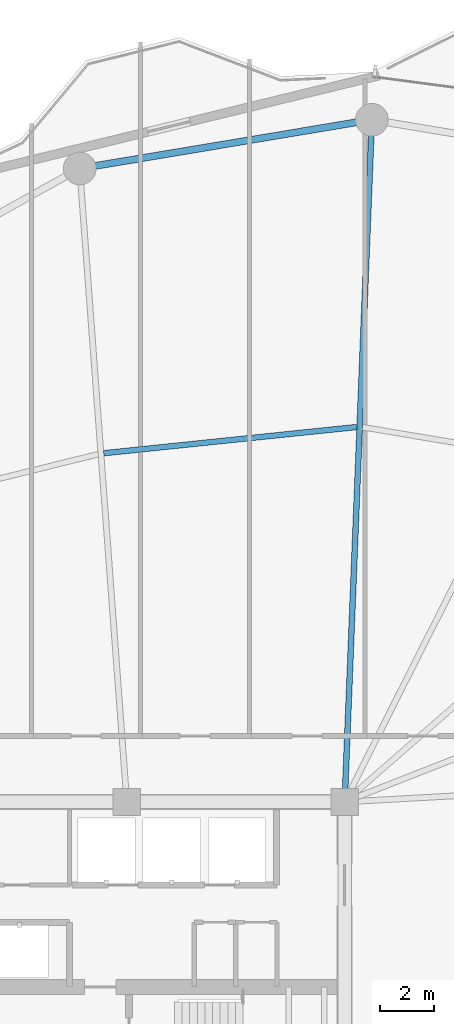
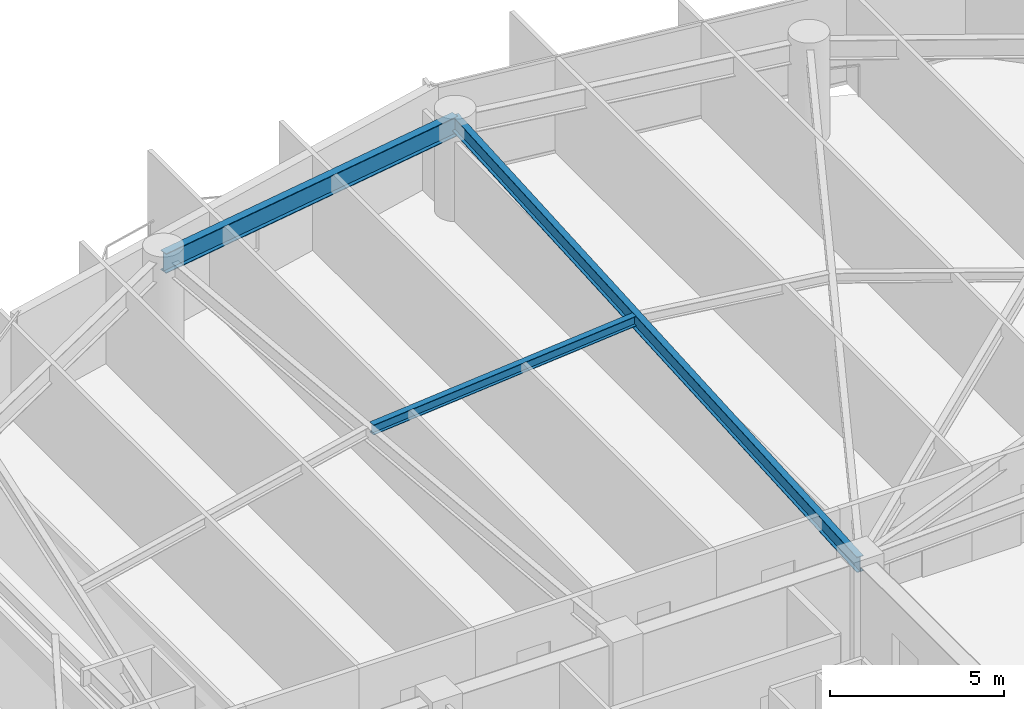
# One storey, part 19 of 31: 3 beams.
"""IFC4 building model written with IfcOpenShell, lengths in metres."""

from ifc_helpers import new_model, si_unit, direction, frame, origin, origin_2d, place, context, subcontext, project, spatial, i_section, extrude, material, material_profile, profile_set, type_object, element, save


model = new_model("IFC4")

# Units and contexts
model_context = context("Model", 3, precision=1e-05, world=origin(), true_north=direction((0.0, 1.0)))
body_context = subcontext(model_context, "Body", "Model", "MODEL_VIEW")
ifc_project = project(units=[si_unit("LENGTHUNIT", "METRE"), si_unit("AREAUNIT", "SQUARE_METRE"), si_unit("VOLUMEUNIT", "CUBIC_METRE"), si_unit("PLANEANGLEUNIT", "RADIAN"), si_unit("MASSUNIT", "GRAM", prefix="KILO")], contexts=[model_context])

# Site, building, storey
site_placement = place(None, origin())
site = spatial("IfcSite", under=ifc_project, at=site_placement, CompositionType="ELEMENT")
building_placement = place(site_placement, origin())
building = spatial("IfcBuilding", under=site, at=building_placement, Name="Kazevale Care Tower and Concert Hall", CompositionType="ELEMENT")
storey_placement = place(building_placement, frame((0.0, 0.0, 117.0)))
storey = spatial("IfcBuildingStorey", under=building, at=storey_placement, Name="L30", CompositionType="ELEMENT", Elevation=117.0)

# Beams
ifc_material = material(Name="Steel ASTM A572 Gr 50", Category="steel")
ifc_material_profile_1 = material_profile(ifc_material, i_section(OverallWidth=0.2119140625, OverallDepth=0.5439453125, WebThickness=0.01318359375, FlangeThickness=0.021240234375, at=origin_2d()), Name="W530x123")
ifc_profile_set_1 = profile_set([ifc_material_profile_1], Name="Steel ASTM A572 Gr 50")
beam_type_1 = type_object("IfcBeamType", Name="Radial Floor Girder W530x123", PredefinedType="BEAM", material=ifc_profile_set_1)
beam_1_placement = place(storey_placement, frame((44.0, 36.39990234375, 3.087890625), z_axis=(0.039888311255, 0.99920414462, 0.0), x_axis=(-0.99920414462, 0.039888311255, 0.0)))
element("IfcBeam", 1, at=beam_1_placement, inside=storey, type_object=beam_type_1, Name="beam:L30:rad:05", PredefinedType="BEAM", context=body_context, shape_type="SweptSolid", body=[
    extrude(i_section(OverallWidth=0.2119140625, OverallDepth=0.5439453125, WebThickness=0.01318359375, FlangeThickness=0.021240234375, at=origin_2d()), origin(), (0.0, 0.0, 1.0), 25.070068359375),
])
ifc_material_profile_2 = material_profile(ifc_material, i_section(OverallWidth=0.205078125, OverallDepth=0.35400390625, WebThickness=0.009521484375, FlangeThickness=0.016845703125, at=origin_2d()), Name="W360x79")
ifc_profile_set_2 = profile_set([ifc_material_profile_2], Name="Steel ASTM A572 Gr 50")
beam_type_2 = type_object("IfcBeamType", Name="Secondary Floor Joist W360x79", PredefinedType="JOIST", material=ifc_profile_set_2)
beam_2_placement = place(storey_placement, frame((44.446044921875, 50.1669921875, 3.18310546875), z_axis=(-0.994674810104, -0.10306319491, 0.0), x_axis=(0.10306319491, -0.994674810104, 0.0)))
element("IfcBeam", 2, at=beam_2_placement, inside=storey, type_object=beam_type_2, Name="beam:L30:joist:05", PredefinedType="JOIST", context=body_context, shape_type="SweptSolid", body=[
    extrude(i_section(OverallWidth=0.205078125, OverallDepth=0.35400390625, WebThickness=0.009521484375, FlangeThickness=0.016845703125, at=origin_2d()), origin(), (0.0, 0.0, 1.0), 9.3427734375),
])
ifc_material_profile_3 = material_profile(ifc_material, i_section(OverallWidth=0.256103515625, OverallDepth=0.693115234375, WebThickness=0.014404296875, FlangeThickness=0.023681640625, at=origin_2d()), Name="W690x170")
ifc_profile_set_3 = profile_set([ifc_material_profile_3], Name="Steel ASTM A572 Gr 50")
beam_type_3 = type_object("IfcBeamType", Name="Waist Ring Beam W690x170", PredefinedType="BEAM", material=ifc_profile_set_3)
beam_3_placement = place(storey_placement, frame((45.0, 61.449951171875, 3.013427734375), z_axis=(-0.986368436187, -0.164551840139, 0.0), x_axis=(0.164551840139, -0.986368436187, 0.0)))
element("IfcBeam", 3, at=beam_3_placement, inside=storey, type_object=beam_type_3, Name="beam:L30:ring:05", PredefinedType="BEAM", context=body_context, shape_type="SweptSolid", body=[
    extrude(i_section(OverallWidth=0.256103515625, OverallDepth=0.693115234375, WebThickness=0.014404296875, FlangeThickness=0.023681640625, at=origin_2d()), origin(), (0.0, 0.0, 1.0), 10.878173828125),
])

save(model, "model.ifc")
